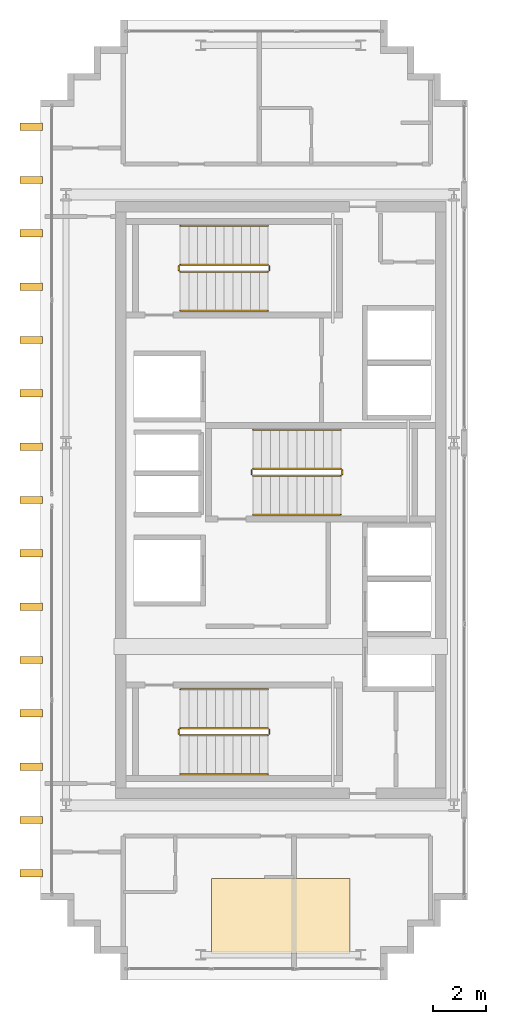
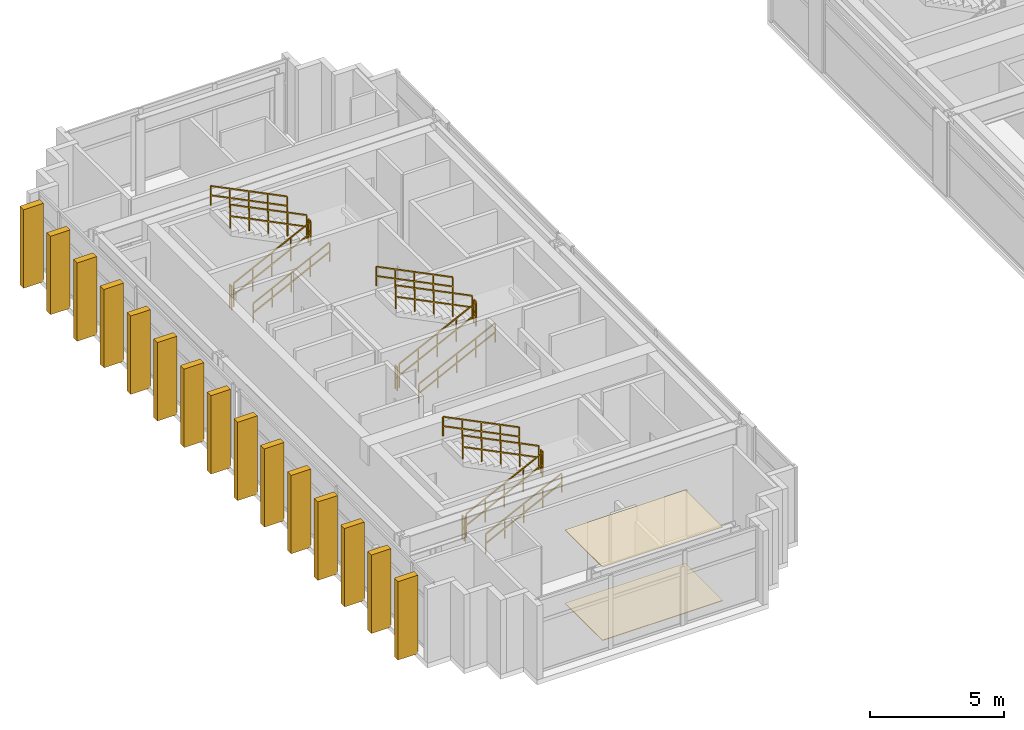
# One storey, part 24 of 25: 18 railings, 15 shading devices, 2 coverings.
"""IFC4 building model written with IfcOpenShell, lengths in metres."""

from ifc_helpers import new_model, si_unit, direction, frame, origin, origin_2d, place, context, subcontext, project, spatial, polyline, rectangle, outline, extrude, source, transform, mapped, material, layer, layer_set, type_object, element, save


model = new_model("IFC4")

# Units and contexts
model_context = context("Model", 3, precision=1e-05, world=origin(), true_north=direction((0.0, 1.0)))
body_context = subcontext(model_context, "Body", "Model", "MODEL_VIEW")
ifc_project = project(units=[si_unit("LENGTHUNIT", "METRE"), si_unit("AREAUNIT", "SQUARE_METRE"), si_unit("VOLUMEUNIT", "CUBIC_METRE"), si_unit("PLANEANGLEUNIT", "RADIAN"), si_unit("MASSUNIT", "GRAM", prefix="KILO")], contexts=[model_context])

# Site, building, storey
site_placement = place(None, origin())
site = spatial("IfcSite", under=ifc_project, at=site_placement, CompositionType="ELEMENT")
building_placement = place(site_placement, origin())
building = spatial("IfcBuilding", under=site, at=building_placement, Name="Ocotamira Hotel", CompositionType="ELEMENT")
storey_placement = place(building_placement, frame((0.0, 0.0, 261.60009765625)))
storey = spatial("IfcBuildingStorey", under=building, at=storey_placement, Name="L66", CompositionType="ELEMENT", Elevation=261.60009765625)

# Coverings
ifc_material_1 = material(Name="Perforated acoustic gypsum ceiling board", Category="gypsum")
ifc_layer_1 = layer(ifc_material_1, 0.02490234375)
ifc_layer_set_1 = layer_set([ifc_layer_1], Name="Perforated acoustic gypsum ceiling board")
covering_type_1 = type_object("IfcCoveringType", Name="COV-CEIL-25", PredefinedType="CEILING", material=ifc_layer_set_1)
covering_1_placement = place(storey_placement, frame((0.0, 0.0, 3.35498046875)))
element("IfcCovering", 1, at=covering_1_placement, inside=storey, type_object=covering_type_1, Name="L66 Acoustic Ceiling", PredefinedType="CEILING", context=body_context, shape_type="SweptSolid", body=[
    extrude(outline(polyline([(14.39990234375, 9.0), (19.60009765625, 9.0), (19.60009765625, 11.800048828125), (14.39990234375, 11.800048828125), (14.39990234375, 9.0)])), origin(), (0.0, 0.0, 1.0), 0.02490234375),
])
ifc_material_2 = material(Name="Honed desert travertine stone flooring", Category="masonry")
ifc_layer_2 = layer(ifc_material_2, 0.030029296875)
ifc_layer_set_2 = layer_set([ifc_layer_2], Name="Honed desert travertine stone flooring")
covering_type_2 = type_object("IfcCoveringType", Name="COV-FLOR-30", PredefinedType="FLOORING", material=ifc_layer_set_2)
covering_2_placement = place(storey_placement, origin())
element("IfcCovering", 2, at=covering_2_placement, inside=storey, type_object=covering_type_2, Name="L66 Honed Stone Floor Finish", PredefinedType="FLOORING", context=body_context, shape_type="SweptSolid", body=[
    extrude(outline(polyline([(14.39990234375, 9.0), (19.60009765625, 9.0), (19.60009765625, 11.800048828125), (14.39990234375, 11.800048828125), (14.39990234375, 9.0)])), origin(), (0.0, 0.0, 1.0), 0.02978515625),
])

# Railings
ifc_material_3 = material(Name="Brushed stainless steel handrail", Category="steel")
railing_type_1 = type_object("IfcRailingType", Name="RL-HAND-900", PredefinedType="HANDRAIL", material=ifc_material_3)
railing_1_placement = place(storey_placement, frame((13.22998046875, 15.719970703125, 0.3271484375)))
element("IfcRailing", 3, at=railing_1_placement, inside=storey, type_object=railing_type_1, Name="L66 ST-1 stair handrail 1", PredefinedType="HANDRAIL", context=body_context, shape_type="SweptSolid", body=[
    extrude(rectangle(XDim=0.048095703125, YDim=0.048095703125, at=origin_2d()), frame((0.0, 0.0, 0.8759765625), z_axis=(0.895893744519, 0.0, 0.4442683857), x_axis=(0.0, 1.0, 0.0)), (0.0, 0.0, 1.0), 3.68359375),
    extrude(rectangle(XDim=0.048095703125, YDim=0.048095703125, at=origin_2d()), frame((0.0, 0.0, 0.449951171875), z_axis=(0.895893744519, 0.0, 0.4442683857), x_axis=(0.0, 1.0, 0.0)), (0.0, 0.0, 1.0), 3.68359375),
    extrude(rectangle(XDim=0.0419921875, YDim=0.0419921875, at=origin_2d()), origin(), (0.0, 0.0, 1.0), 0.851806640625),
    extrude(rectangle(XDim=0.0419921875, YDim=0.0419921875, at=origin_2d()), frame((0.824951171875, 0.0, 0.4091796875)), (0.0, 0.0, 1.0), 0.851806640625),
    extrude(rectangle(XDim=0.0419921875, YDim=0.0419921875, at=origin_2d()), frame((1.64990234375, 0.0, 0.818359375)), (0.0, 0.0, 1.0), 0.851806640625),
    extrude(rectangle(XDim=0.0419921875, YDim=0.0419921875, at=origin_2d()), frame((2.47509765625, 0.0, 1.227294921875)), (0.0, 0.0, 1.0), 0.851806640625),
    extrude(rectangle(XDim=0.0419921875, YDim=0.0419921875, at=origin_2d()), frame((3.300048828125, 0.0, 1.636474609375)), (0.0, 0.0, 1.0), 0.851806640625),
])
railing_2_placement = place(storey_placement, frame((16.530029296875, 18.89990234375, 2.127197265625)))
element("IfcRailing", 4, at=railing_2_placement, inside=storey, type_object=railing_type_1, Name="L66 ST-1 stair handrail 2", PredefinedType="HANDRAIL", context=body_context, shape_type="SweptSolid", body=[
    extrude(rectangle(XDim=0.048095703125, YDim=0.048095703125, at=origin_2d()), frame((0.0, 0.0, 0.8759765625), z_axis=(-0.895920123917, 0.0, 0.444215186098), x_axis=(0.0, -1.0, 0.0)), (0.0, 0.0, 1.0), 3.683349609375),
    extrude(rectangle(XDim=0.048095703125, YDim=0.048095703125, at=origin_2d()), frame((0.0, 0.0, 0.449951171875), z_axis=(-0.895920123917, 0.0, 0.444215186098), x_axis=(0.0, -1.0, 0.0)), (0.0, 0.0, 1.0), 3.683349609375),
    extrude(rectangle(XDim=0.0419921875, YDim=0.0419921875, at=origin_2d()), origin(), (0.0, 0.0, 1.0), 0.851806640625),
    extrude(rectangle(XDim=0.0419921875, YDim=0.0419921875, at=origin_2d()), frame((-0.824951171875, 0.0, 0.4091796875)), (0.0, 0.0, 1.0), 0.851806640625),
    extrude(rectangle(XDim=0.0419921875, YDim=0.0419921875, at=origin_2d()), frame((-1.64990234375, 0.0, 0.818115234375)), (0.0, 0.0, 1.0), 0.851806640625),
    extrude(rectangle(XDim=0.0419921875, YDim=0.0419921875, at=origin_2d()), frame((-2.47509765625, 0.0, 1.22705078125)), (0.0, 0.0, 1.0), 0.851806640625),
    extrude(rectangle(XDim=0.0419921875, YDim=0.0419921875, at=origin_2d()), frame((-3.300048828125, 0.0, 1.63623046875)), (0.0, 0.0, 1.0), 0.851806640625),
])
railing_3_placement = place(storey_placement, frame((13.22998046875, 33.10009765625, 0.3271484375)))
element("IfcRailing", 5, at=railing_3_placement, inside=storey, type_object=railing_type_1, Name="L66 ST-2 stair handrail 1", PredefinedType="HANDRAIL", context=body_context, shape_type="SweptSolid", body=[
    extrude(rectangle(XDim=0.048095703125, YDim=0.048095703125, at=origin_2d()), frame((0.0, 0.0, 0.8759765625), z_axis=(0.895893744519, 0.0, 0.4442683857), x_axis=(0.0, 1.0, 0.0)), (0.0, 0.0, 1.0), 3.68359375),
    extrude(rectangle(XDim=0.048095703125, YDim=0.048095703125, at=origin_2d()), frame((0.0, 0.0, 0.449951171875), z_axis=(0.895893744519, 0.0, 0.4442683857), x_axis=(0.0, 1.0, 0.0)), (0.0, 0.0, 1.0), 3.68359375),
    extrude(rectangle(XDim=0.0419921875, YDim=0.0419921875, at=origin_2d()), origin(), (0.0, 0.0, 1.0), 0.851806640625),
    extrude(rectangle(XDim=0.0419921875, YDim=0.0419921875, at=origin_2d()), frame((0.824951171875, 0.0, 0.4091796875)), (0.0, 0.0, 1.0), 0.851806640625),
    extrude(rectangle(XDim=0.0419921875, YDim=0.0419921875, at=origin_2d()), frame((1.64990234375, 0.0, 0.818359375)), (0.0, 0.0, 1.0), 0.851806640625),
    extrude(rectangle(XDim=0.0419921875, YDim=0.0419921875, at=origin_2d()), frame((2.47509765625, 0.0, 1.227294921875)), (0.0, 0.0, 1.0), 0.851806640625),
    extrude(rectangle(XDim=0.0419921875, YDim=0.0419921875, at=origin_2d()), frame((3.300048828125, 0.0, 1.636474609375)), (0.0, 0.0, 1.0), 0.851806640625),
])
railing_4_placement = place(storey_placement, frame((16.530029296875, 36.280029296875, 2.127197265625)))
element("IfcRailing", 6, at=railing_4_placement, inside=storey, type_object=railing_type_1, Name="L66 ST-2 stair handrail 2", PredefinedType="HANDRAIL", context=body_context, shape_type="SweptSolid", body=[
    extrude(rectangle(XDim=0.048095703125, YDim=0.048095703125, at=origin_2d()), frame((0.0, 0.0, 0.8759765625), z_axis=(-0.895920123917, 0.0, 0.444215186098), x_axis=(0.0, -1.0, 0.0)), (0.0, 0.0, 1.0), 3.683349609375),
    extrude(rectangle(XDim=0.048095703125, YDim=0.048095703125, at=origin_2d()), frame((0.0, 0.0, 0.449951171875), z_axis=(-0.895920123917, 0.0, 0.444215186098), x_axis=(0.0, -1.0, 0.0)), (0.0, 0.0, 1.0), 3.683349609375),
    extrude(rectangle(XDim=0.0419921875, YDim=0.0419921875, at=origin_2d()), origin(), (0.0, 0.0, 1.0), 0.851806640625),
    extrude(rectangle(XDim=0.0419921875, YDim=0.0419921875, at=origin_2d()), frame((-0.824951171875, 0.0, 0.4091796875)), (0.0, 0.0, 1.0), 0.851806640625),
    extrude(rectangle(XDim=0.0419921875, YDim=0.0419921875, at=origin_2d()), frame((-1.64990234375, 0.0, 0.818115234375)), (0.0, 0.0, 1.0), 0.851806640625),
    extrude(rectangle(XDim=0.0419921875, YDim=0.0419921875, at=origin_2d()), frame((-2.47509765625, 0.0, 1.22705078125)), (0.0, 0.0, 1.0), 0.851806640625),
    extrude(rectangle(XDim=0.0419921875, YDim=0.0419921875, at=origin_2d()), frame((-3.300048828125, 0.0, 1.63623046875)), (0.0, 0.0, 1.0), 0.851806640625),
])
railing_5_placement = place(storey_placement, frame((15.9599609375, 25.449951171875, 0.3271484375)))
element("IfcRailing", 7, at=railing_5_placement, inside=storey, type_object=railing_type_1, Name="L66 ST-3 stair handrail 1", PredefinedType="HANDRAIL", context=body_context, shape_type="SweptSolid", body=[
    extrude(rectangle(XDim=0.048095703125, YDim=0.048095703125, at=origin_2d()), frame((0.0, 0.0, 0.8759765625), z_axis=(0.895893744519, 0.0, 0.4442683857), x_axis=(0.0, 1.0, 0.0)), (0.0, 0.0, 1.0), 3.68359375),
    extrude(rectangle(XDim=0.048095703125, YDim=0.048095703125, at=origin_2d()), frame((0.0, 0.0, 0.449951171875), z_axis=(0.895893744519, 0.0, 0.4442683857), x_axis=(0.0, 1.0, 0.0)), (0.0, 0.0, 1.0), 3.68359375),
    extrude(rectangle(XDim=0.0419921875, YDim=0.0419921875, at=origin_2d()), origin(), (0.0, 0.0, 1.0), 0.851806640625),
    extrude(rectangle(XDim=0.0419921875, YDim=0.0419921875, at=origin_2d()), frame((0.824951171875, 0.0, 0.4091796875)), (0.0, 0.0, 1.0), 0.851806640625),
    extrude(rectangle(XDim=0.0419921875, YDim=0.0419921875, at=origin_2d()), frame((1.64990234375, 0.0, 0.818359375)), (0.0, 0.0, 1.0), 0.851806640625),
    extrude(rectangle(XDim=0.0419921875, YDim=0.0419921875, at=origin_2d()), frame((2.47509765625, 0.0, 1.227294921875)), (0.0, 0.0, 1.0), 0.851806640625),
    extrude(rectangle(XDim=0.0419921875, YDim=0.0419921875, at=origin_2d()), frame((3.300048828125, 0.0, 1.636474609375)), (0.0, 0.0, 1.0), 0.851806640625),
])
railing_6_placement = place(storey_placement, frame((19.260009765625, 28.6298828125, 2.127197265625)))
element("IfcRailing", 8, at=railing_6_placement, inside=storey, type_object=railing_type_1, Name="L66 ST-3 stair handrail 2", PredefinedType="HANDRAIL", context=body_context, shape_type="SweptSolid", body=[
    extrude(rectangle(XDim=0.048095703125, YDim=0.048095703125, at=origin_2d()), frame((0.0, 0.0, 0.8759765625), z_axis=(-0.895920123917, 0.0, 0.444215186098), x_axis=(0.0, -1.0, 0.0)), (0.0, 0.0, 1.0), 3.683349609375),
    extrude(rectangle(XDim=0.048095703125, YDim=0.048095703125, at=origin_2d()), frame((0.0, 0.0, 0.449951171875), z_axis=(-0.895920123917, 0.0, 0.444215186098), x_axis=(0.0, -1.0, 0.0)), (0.0, 0.0, 1.0), 3.683349609375),
    extrude(rectangle(XDim=0.0419921875, YDim=0.0419921875, at=origin_2d()), origin(), (0.0, 0.0, 1.0), 0.851806640625),
    extrude(rectangle(XDim=0.0419921875, YDim=0.0419921875, at=origin_2d()), frame((-0.824951171875, 0.0, 0.4091796875)), (0.0, 0.0, 1.0), 0.851806640625),
    extrude(rectangle(XDim=0.0419921875, YDim=0.0419921875, at=origin_2d()), frame((-1.64990234375, 0.0, 0.818115234375)), (0.0, 0.0, 1.0), 0.851806640625),
    extrude(rectangle(XDim=0.0419921875, YDim=0.0419921875, at=origin_2d()), frame((-2.47509765625, 0.0, 1.22705078125)), (0.0, 0.0, 1.0), 0.851806640625),
    extrude(rectangle(XDim=0.0419921875, YDim=0.0419921875, at=origin_2d()), frame((-3.300048828125, 0.0, 1.63623046875)), (0.0, 0.0, 1.0), 0.851806640625),
])
ifc_material_4 = material(Name="Painted steel stair guardrail", Category="steel")
railing_type_2 = type_object("IfcRailingType", Name="RL-STAIR-1100", PredefinedType="GUARDRAIL", material=ifc_material_4)
railing_7_placement = place(storey_placement, frame((13.22998046875, 17.179931640625, 0.16357421875)))
element("IfcRailing", 9, at=railing_7_placement, inside=storey, type_object=railing_type_2, Name="L66 ST-1 stair guard 1", PredefinedType="GUARDRAIL", context=body_context, shape_type="SweptSolid", body=[
    extrude(rectangle(XDim=0.048095703125, YDim=0.048095703125, at=origin_2d()), frame((0.0, 0.0, 1.076171875), z_axis=(0.895920123917, 0.0, 0.444215186098), x_axis=(0.0, 1.0, 0.0)), (0.0, 0.0, 1.0), 3.683349609375),
    extrude(rectangle(XDim=0.048095703125, YDim=0.048095703125, at=origin_2d()), frame((0.0, 0.0, 0.550048828125), z_axis=(0.895920123917, 0.0, 0.444215186098), x_axis=(0.0, 1.0, 0.0)), (0.0, 0.0, 1.0), 3.683349609375),
    extrude(rectangle(XDim=0.0419921875, YDim=0.0419921875, at=origin_2d()), origin(), (0.0, 0.0, 1.0), 1.052001953125),
    extrude(rectangle(XDim=0.0419921875, YDim=0.0419921875, at=origin_2d()), frame((0.824951171875, 0.0, 0.4091796875)), (0.0, 0.0, 1.0), 1.052001953125),
    extrude(rectangle(XDim=0.0419921875, YDim=0.0419921875, at=origin_2d()), frame((1.64990234375, 0.0, 0.818115234375)), (0.0, 0.0, 1.0), 1.052001953125),
    extrude(rectangle(XDim=0.0419921875, YDim=0.0419921875, at=origin_2d()), frame((2.47509765625, 0.0, 1.22705078125)), (0.0, 0.0, 1.0), 1.052001953125),
    extrude(rectangle(XDim=0.0419921875, YDim=0.0419921875, at=origin_2d()), frame((3.300048828125, 0.0, 1.63623046875)), (0.0, 0.0, 1.0), 1.052001953125),
])
railing_8_placement = place(storey_placement, frame((16.580078125, 17.22998046875, 1.7998046875)))
element("IfcRailing", 10, at=railing_8_placement, inside=storey, type_object=railing_type_2, Name="L66 ST-1 stair guard 2", PredefinedType="GUARDRAIL", context=body_context, shape_type="SweptSolid", body=[
    extrude(rectangle(XDim=0.048095703125, YDim=0.048095703125, at=origin_2d()), frame((0.0, 0.0, 1.076171875), z_axis=(0.0, 1.0, 0.0), x_axis=(-1.0, 0.0, 0.0)), (0.0, 0.0, 1.0), 0.159912109375),
    extrude(rectangle(XDim=0.048095703125, YDim=0.048095703125, at=origin_2d()), frame((0.0, 0.0, 0.550048828125), z_axis=(0.0, 1.0, 0.0), x_axis=(-1.0, 0.0, 0.0)), (0.0, 0.0, 1.0), 0.159912109375),
    extrude(rectangle(XDim=0.0419921875, YDim=0.0419921875, at=origin_2d()), origin(), (0.0, 0.0, 1.0), 1.052001953125),
    extrude(rectangle(XDim=0.0419921875, YDim=0.0419921875, at=origin_2d()), frame((0.0, 0.159912109375, 0.0)), (0.0, 0.0, 1.0), 1.052001953125),
])
railing_9_placement = place(storey_placement, frame((16.530029296875, 17.43994140625, 1.963623046875)))
element("IfcRailing", 11, at=railing_9_placement, inside=storey, type_object=railing_type_2, Name="L66 ST-1 stair guard 3", PredefinedType="GUARDRAIL", context=body_context, shape_type="SweptSolid", body=[
    extrude(rectangle(XDim=0.048095703125, YDim=0.048095703125, at=origin_2d()), frame((0.0, 0.0, 1.076171875), z_axis=(-0.895920123917, 0.0, 0.444215186098), x_axis=(0.0, -1.0, 0.0)), (0.0, 0.0, 1.0), 3.683349609375),
    extrude(rectangle(XDim=0.048095703125, YDim=0.048095703125, at=origin_2d()), frame((0.0, 0.0, 0.550048828125), z_axis=(-0.895920123917, 0.0, 0.444215186098), x_axis=(0.0, -1.0, 0.0)), (0.0, 0.0, 1.0), 3.683349609375),
    extrude(rectangle(XDim=0.0419921875, YDim=0.0419921875, at=origin_2d()), origin(), (0.0, 0.0, 1.0), 1.052001953125),
    extrude(rectangle(XDim=0.0419921875, YDim=0.0419921875, at=origin_2d()), frame((-0.824951171875, 0.0, 0.4091796875)), (0.0, 0.0, 1.0), 1.052001953125),
    extrude(rectangle(XDim=0.0419921875, YDim=0.0419921875, at=origin_2d()), frame((-1.64990234375, 0.0, 0.818115234375)), (0.0, 0.0, 1.0), 1.052001953125),
    extrude(rectangle(XDim=0.0419921875, YDim=0.0419921875, at=origin_2d()), frame((-2.47509765625, 0.0, 1.22705078125)), (0.0, 0.0, 1.0), 1.052001953125),
    extrude(rectangle(XDim=0.0419921875, YDim=0.0419921875, at=origin_2d()), frame((-3.300048828125, 0.0, 1.63623046875)), (0.0, 0.0, 1.0), 1.052001953125),
])
railing_10_placement = place(storey_placement, frame((13.179931640625, 17.22998046875, 0.0)))
element("IfcRailing", 12, at=railing_10_placement, inside=storey, type_object=railing_type_2, Name="L66 ST-1 stair guard 4", PredefinedType="GUARDRAIL", context=body_context, shape_type="SweptSolid", body=[
    extrude(rectangle(XDim=0.048095703125, YDim=0.048095703125, at=origin_2d()), frame((0.0, 0.0, 1.076171875), z_axis=(0.0, 1.0, 0.0), x_axis=(-1.0, 0.0, 0.0)), (0.0, 0.0, 1.0), 0.159912109375),
    extrude(rectangle(XDim=0.048095703125, YDim=0.048095703125, at=origin_2d()), frame((0.0, 0.0, 0.550048828125), z_axis=(0.0, 1.0, 0.0), x_axis=(-1.0, 0.0, 0.0)), (0.0, 0.0, 1.0), 0.159912109375),
    extrude(rectangle(XDim=0.0419921875, YDim=0.0419921875, at=origin_2d()), origin(), (0.0, 0.0, 1.0), 1.052001953125),
    extrude(rectangle(XDim=0.0419921875, YDim=0.0419921875, at=origin_2d()), frame((0.0, 0.159912109375, 0.0)), (0.0, 0.0, 1.0), 1.052001953125),
])
railing_11_placement = place(storey_placement, frame((13.22998046875, 34.56005859375, 0.16357421875)))
element("IfcRailing", 13, at=railing_11_placement, inside=storey, type_object=railing_type_2, Name="L66 ST-2 stair guard 1", PredefinedType="GUARDRAIL", context=body_context, shape_type="SweptSolid", body=[
    extrude(rectangle(XDim=0.048095703125, YDim=0.048095703125, at=origin_2d()), frame((0.0, 0.0, 1.076171875), z_axis=(0.895920123917, 0.0, 0.444215186098), x_axis=(0.0, 1.0, 0.0)), (0.0, 0.0, 1.0), 3.683349609375),
    extrude(rectangle(XDim=0.048095703125, YDim=0.048095703125, at=origin_2d()), frame((0.0, 0.0, 0.550048828125), z_axis=(0.895920123917, 0.0, 0.444215186098), x_axis=(0.0, 1.0, 0.0)), (0.0, 0.0, 1.0), 3.683349609375),
    extrude(rectangle(XDim=0.0419921875, YDim=0.0419921875, at=origin_2d()), origin(), (0.0, 0.0, 1.0), 1.052001953125),
    extrude(rectangle(XDim=0.0419921875, YDim=0.0419921875, at=origin_2d()), frame((0.824951171875, 0.0, 0.4091796875)), (0.0, 0.0, 1.0), 1.052001953125),
    extrude(rectangle(XDim=0.0419921875, YDim=0.0419921875, at=origin_2d()), frame((1.64990234375, 0.0, 0.818115234375)), (0.0, 0.0, 1.0), 1.052001953125),
    extrude(rectangle(XDim=0.0419921875, YDim=0.0419921875, at=origin_2d()), frame((2.47509765625, 0.0, 1.22705078125)), (0.0, 0.0, 1.0), 1.052001953125),
    extrude(rectangle(XDim=0.0419921875, YDim=0.0419921875, at=origin_2d()), frame((3.300048828125, 0.0, 1.63623046875)), (0.0, 0.0, 1.0), 1.052001953125),
])
railing_12_placement = place(storey_placement, frame((16.580078125, 34.610107421875, 1.7998046875)))
element("IfcRailing", 14, at=railing_12_placement, inside=storey, type_object=railing_type_2, Name="L66 ST-2 stair guard 2", PredefinedType="GUARDRAIL", context=body_context, shape_type="SweptSolid", body=[
    extrude(rectangle(XDim=0.048095703125, YDim=0.048095703125, at=origin_2d()), frame((0.0, 0.0, 1.076171875), z_axis=(0.0, 1.0, 0.0), x_axis=(-1.0, 0.0, 0.0)), (0.0, 0.0, 1.0), 0.159912109375),
    extrude(rectangle(XDim=0.048095703125, YDim=0.048095703125, at=origin_2d()), frame((0.0, 0.0, 0.550048828125), z_axis=(0.0, 1.0, 0.0), x_axis=(-1.0, 0.0, 0.0)), (0.0, 0.0, 1.0), 0.159912109375),
    extrude(rectangle(XDim=0.0419921875, YDim=0.0419921875, at=origin_2d()), origin(), (0.0, 0.0, 1.0), 1.052001953125),
    extrude(rectangle(XDim=0.0419921875, YDim=0.0419921875, at=origin_2d()), frame((0.0, 0.159912109375, 0.0)), (0.0, 0.0, 1.0), 1.052001953125),
])
railing_13_placement = place(storey_placement, frame((16.530029296875, 34.820068359375, 1.963623046875)))
element("IfcRailing", 15, at=railing_13_placement, inside=storey, type_object=railing_type_2, Name="L66 ST-2 stair guard 3", PredefinedType="GUARDRAIL", context=body_context, shape_type="SweptSolid", body=[
    extrude(rectangle(XDim=0.048095703125, YDim=0.048095703125, at=origin_2d()), frame((0.0, 0.0, 1.076171875), z_axis=(-0.895920123917, 0.0, 0.444215186098), x_axis=(0.0, -1.0, 0.0)), (0.0, 0.0, 1.0), 3.683349609375),
    extrude(rectangle(XDim=0.048095703125, YDim=0.048095703125, at=origin_2d()), frame((0.0, 0.0, 0.550048828125), z_axis=(-0.895920123917, 0.0, 0.444215186098), x_axis=(0.0, -1.0, 0.0)), (0.0, 0.0, 1.0), 3.683349609375),
    extrude(rectangle(XDim=0.0419921875, YDim=0.0419921875, at=origin_2d()), origin(), (0.0, 0.0, 1.0), 1.052001953125),
    extrude(rectangle(XDim=0.0419921875, YDim=0.0419921875, at=origin_2d()), frame((-0.824951171875, 0.0, 0.4091796875)), (0.0, 0.0, 1.0), 1.052001953125),
    extrude(rectangle(XDim=0.0419921875, YDim=0.0419921875, at=origin_2d()), frame((-1.64990234375, 0.0, 0.818115234375)), (0.0, 0.0, 1.0), 1.052001953125),
    extrude(rectangle(XDim=0.0419921875, YDim=0.0419921875, at=origin_2d()), frame((-2.47509765625, 0.0, 1.22705078125)), (0.0, 0.0, 1.0), 1.052001953125),
    extrude(rectangle(XDim=0.0419921875, YDim=0.0419921875, at=origin_2d()), frame((-3.300048828125, 0.0, 1.63623046875)), (0.0, 0.0, 1.0), 1.052001953125),
])
railing_14_placement = place(storey_placement, frame((13.179931640625, 34.610107421875, 0.0)))
element("IfcRailing", 16, at=railing_14_placement, inside=storey, type_object=railing_type_2, Name="L66 ST-2 stair guard 4", PredefinedType="GUARDRAIL", context=body_context, shape_type="SweptSolid", body=[
    extrude(rectangle(XDim=0.048095703125, YDim=0.048095703125, at=origin_2d()), frame((0.0, 0.0, 1.076171875), z_axis=(0.0, 1.0, 0.0), x_axis=(-1.0, 0.0, 0.0)), (0.0, 0.0, 1.0), 0.159912109375),
    extrude(rectangle(XDim=0.048095703125, YDim=0.048095703125, at=origin_2d()), frame((0.0, 0.0, 0.550048828125), z_axis=(0.0, 1.0, 0.0), x_axis=(-1.0, 0.0, 0.0)), (0.0, 0.0, 1.0), 0.159912109375),
    extrude(rectangle(XDim=0.0419921875, YDim=0.0419921875, at=origin_2d()), origin(), (0.0, 0.0, 1.0), 1.052001953125),
    extrude(rectangle(XDim=0.0419921875, YDim=0.0419921875, at=origin_2d()), frame((0.0, 0.159912109375, 0.0)), (0.0, 0.0, 1.0), 1.052001953125),
])
railing_15_placement = place(storey_placement, frame((15.9599609375, 26.909912109375, 0.16357421875)))
element("IfcRailing", 17, at=railing_15_placement, inside=storey, type_object=railing_type_2, Name="L66 ST-3 stair guard 1", PredefinedType="GUARDRAIL", context=body_context, shape_type="SweptSolid", body=[
    extrude(rectangle(XDim=0.048095703125, YDim=0.048095703125, at=origin_2d()), frame((0.0, 0.0, 1.076171875), z_axis=(0.895920123917, 0.0, 0.444215186098), x_axis=(0.0, 1.0, 0.0)), (0.0, 0.0, 1.0), 3.683349609375),
    extrude(rectangle(XDim=0.048095703125, YDim=0.048095703125, at=origin_2d()), frame((0.0, 0.0, 0.550048828125), z_axis=(0.895920123917, 0.0, 0.444215186098), x_axis=(0.0, 1.0, 0.0)), (0.0, 0.0, 1.0), 3.683349609375),
    extrude(rectangle(XDim=0.0419921875, YDim=0.0419921875, at=origin_2d()), origin(), (0.0, 0.0, 1.0), 1.052001953125),
    extrude(rectangle(XDim=0.0419921875, YDim=0.0419921875, at=origin_2d()), frame((0.824951171875, 0.0, 0.4091796875)), (0.0, 0.0, 1.0), 1.052001953125),
    extrude(rectangle(XDim=0.0419921875, YDim=0.0419921875, at=origin_2d()), frame((1.64990234375, 0.0, 0.818115234375)), (0.0, 0.0, 1.0), 1.052001953125),
    extrude(rectangle(XDim=0.0419921875, YDim=0.0419921875, at=origin_2d()), frame((2.47509765625, 0.0, 1.22705078125)), (0.0, 0.0, 1.0), 1.052001953125),
    extrude(rectangle(XDim=0.0419921875, YDim=0.0419921875, at=origin_2d()), frame((3.300048828125, 0.0, 1.63623046875)), (0.0, 0.0, 1.0), 1.052001953125),
])
railing_16_placement = place(storey_placement, frame((19.31005859375, 26.9599609375, 1.7998046875)))
element("IfcRailing", 18, at=railing_16_placement, inside=storey, type_object=railing_type_2, Name="L66 ST-3 stair guard 2", PredefinedType="GUARDRAIL", context=body_context, shape_type="SweptSolid", body=[
    extrude(rectangle(XDim=0.048095703125, YDim=0.048095703125, at=origin_2d()), frame((0.0, 0.0, 1.076171875), z_axis=(0.0, 1.0, 0.0), x_axis=(-1.0, 0.0, 0.0)), (0.0, 0.0, 1.0), 0.16015625),
    extrude(rectangle(XDim=0.048095703125, YDim=0.048095703125, at=origin_2d()), frame((0.0, 0.0, 0.550048828125), z_axis=(0.0, 1.0, 0.0), x_axis=(-1.0, 0.0, 0.0)), (0.0, 0.0, 1.0), 0.16015625),
    extrude(rectangle(XDim=0.0419921875, YDim=0.0419921875, at=origin_2d()), origin(), (0.0, 0.0, 1.0), 1.052001953125),
    extrude(rectangle(XDim=0.0419921875, YDim=0.0419921875, at=origin_2d()), frame((0.0, 0.16015625, 0.0)), (0.0, 0.0, 1.0), 1.052001953125),
])
railing_17_placement = place(storey_placement, frame((19.260009765625, 27.169921875, 1.963623046875)))
element("IfcRailing", 19, at=railing_17_placement, inside=storey, type_object=railing_type_2, Name="L66 ST-3 stair guard 3", PredefinedType="GUARDRAIL", context=body_context, shape_type="SweptSolid", body=[
    extrude(rectangle(XDim=0.048095703125, YDim=0.048095703125, at=origin_2d()), frame((0.0, 0.0, 1.076171875), z_axis=(-0.895920123917, 0.0, 0.444215186098), x_axis=(0.0, -1.0, 0.0)), (0.0, 0.0, 1.0), 3.683349609375),
    extrude(rectangle(XDim=0.048095703125, YDim=0.048095703125, at=origin_2d()), frame((0.0, 0.0, 0.550048828125), z_axis=(-0.895920123917, 0.0, 0.444215186098), x_axis=(0.0, -1.0, 0.0)), (0.0, 0.0, 1.0), 3.683349609375),
    extrude(rectangle(XDim=0.0419921875, YDim=0.0419921875, at=origin_2d()), origin(), (0.0, 0.0, 1.0), 1.052001953125),
    extrude(rectangle(XDim=0.0419921875, YDim=0.0419921875, at=origin_2d()), frame((-0.824951171875, 0.0, 0.4091796875)), (0.0, 0.0, 1.0), 1.052001953125),
    extrude(rectangle(XDim=0.0419921875, YDim=0.0419921875, at=origin_2d()), frame((-1.64990234375, 0.0, 0.818115234375)), (0.0, 0.0, 1.0), 1.052001953125),
    extrude(rectangle(XDim=0.0419921875, YDim=0.0419921875, at=origin_2d()), frame((-2.47509765625, 0.0, 1.22705078125)), (0.0, 0.0, 1.0), 1.052001953125),
    extrude(rectangle(XDim=0.0419921875, YDim=0.0419921875, at=origin_2d()), frame((-3.300048828125, 0.0, 1.63623046875)), (0.0, 0.0, 1.0), 1.052001953125),
])
railing_18_placement = place(storey_placement, frame((15.909912109375, 26.9599609375, 0.0)))
element("IfcRailing", 20, at=railing_18_placement, inside=storey, type_object=railing_type_2, Name="L66 ST-3 stair guard 4", PredefinedType="GUARDRAIL", context=body_context, shape_type="SweptSolid", body=[
    extrude(rectangle(XDim=0.048095703125, YDim=0.048095703125, at=origin_2d()), frame((0.0, 0.0, 1.076171875), z_axis=(0.0, 1.0, 0.0), x_axis=(-1.0, 0.0, 0.0)), (0.0, 0.0, 1.0), 0.16015625),
    extrude(rectangle(XDim=0.048095703125, YDim=0.048095703125, at=origin_2d()), frame((0.0, 0.0, 0.550048828125), z_axis=(0.0, 1.0, 0.0), x_axis=(-1.0, 0.0, 0.0)), (0.0, 0.0, 1.0), 0.16015625),
    extrude(rectangle(XDim=0.0419921875, YDim=0.0419921875, at=origin_2d()), origin(), (0.0, 0.0, 1.0), 1.052001953125),
    extrude(rectangle(XDim=0.0419921875, YDim=0.0419921875, at=origin_2d()), frame((0.0, 0.16015625, 0.0)), (0.0, 0.0, 1.0), 1.052001953125),
])

# Shading devices
ifc_material_5 = material(Name="Pale-metal anodised aluminium architectural fin", Category="aluminium")
shading_device_type = type_object("IfcShadingDeviceType", Name="SHD-PIER-850", PredefinedType="USERDEFINED", material=ifc_material_5)
shared_shape = source(origin(), body_context, "Body", "SweptSolid", [
    extrude(rectangle(XDim=0.85009765625, YDim=0.280029296875, at=origin_2d()), origin(), (0.0, 0.0, 1.0), 3.580078125),
])
for number, where, z_axis, x_axis, name in (
    (21, (7.64990234375, 12.0, -0.10009765625), (0.0, 0.0, 1.0), (1.0, 0.0, 0.0), "L66 Vertical Pale-Metal Pier W Y12"),
    (22, (7.64990234375, 14.0, -0.10009765625), (0.0, 0.0, 1.0), (1.0, 0.0, 0.0), "L66 Vertical Pale-Metal Pier W Y14"),
    (23, (7.64990234375, 16.0, -0.10009765625), (0.0, 0.0, 1.0), (1.0, 0.0, 0.0), "L66 Vertical Pale-Metal Pier W Y16"),
    (24, (7.64990234375, 18.0, -0.10009765625), (0.0, 0.0, 1.0), (1.0, 0.0, 0.0), "L66 Vertical Pale-Metal Pier W Y18"),
    (25, (7.64990234375, 20.0, -0.10009765625), (0.0, 0.0, 1.0), (1.0, 0.0, 0.0), "L66 Vertical Pale-Metal Pier W Y20"),
    (26, (7.64990234375, 22.0, -0.10009765625), (0.0, 0.0, 1.0), (1.0, 0.0, 0.0), "L66 Vertical Pale-Metal Pier W Y22"),
    (27, (7.64990234375, 24.0, -0.10009765625), (0.0, 0.0, 1.0), (1.0, 0.0, 0.0), "L66 Vertical Pale-Metal Pier W Y24"),
    (28, (7.64990234375, 26.0, -0.10009765625), (0.0, 0.0, 1.0), (1.0, 0.0, 0.0), "L66 Vertical Pale-Metal Pier W Y26"),
    (29, (7.64990234375, 28.0, -0.10009765625), (0.0, 0.0, 1.0), (1.0, 0.0, 0.0), "L66 Vertical Pale-Metal Pier W Y28"),
    (30, (7.64990234375, 30.0, -0.10009765625), (0.0, 0.0, 1.0), (1.0, 0.0, 0.0), "L66 Vertical Pale-Metal Pier W Y30"),
    (31, (7.64990234375, 32.0, -0.10009765625), (0.0, 0.0, 1.0), (1.0, 0.0, 0.0), "L66 Vertical Pale-Metal Pier W Y32"),
    (32, (7.64990234375, 34.0, -0.10009765625), (0.0, 0.0, 1.0), (1.0, 0.0, 0.0), "L66 Vertical Pale-Metal Pier W Y34"),
    (33, (7.64990234375, 36.0, -0.10009765625), (0.0, 0.0, 1.0), (1.0, 0.0, 0.0), "L66 Vertical Pale-Metal Pier W Y36"),
    (34, (7.64990234375, 38.0, -0.10009765625), (0.0, 0.0, 1.0), (1.0, 0.0, 0.0), "L66 Vertical Pale-Metal Pier W Y38"),
    (35, (7.64990234375, 40.0, -0.10009765625), (0.0, 0.0, 1.0), (1.0, 0.0, 0.0), "L66 Vertical Pale-Metal Pier W Y40"),
):
    element("IfcShadingDevice", number, at=place(storey_placement, frame(where, z_axis=z_axis, x_axis=x_axis)), inside=storey, type_object=shading_device_type, Name=name, ObjectType="FIN", PredefinedType="USERDEFINED", context=body_context, shape_type="MappedRepresentation", body=[
        mapped(shared_shape, transform((0.0, 0.0, 0.0), scale=1.0)),
    ])

save(model, "model.ifc")
